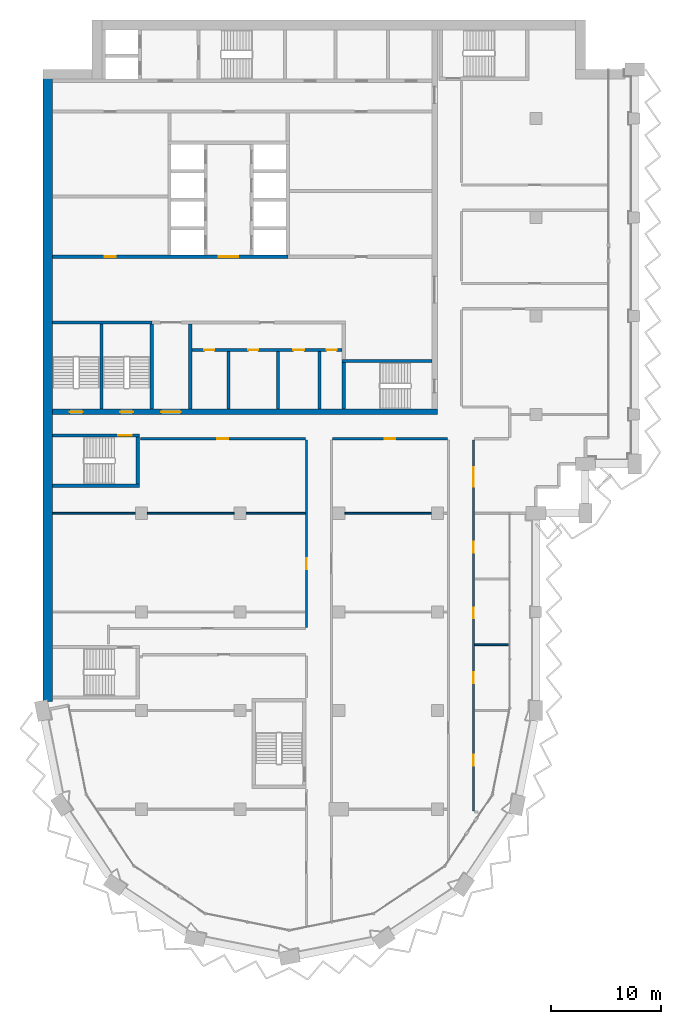
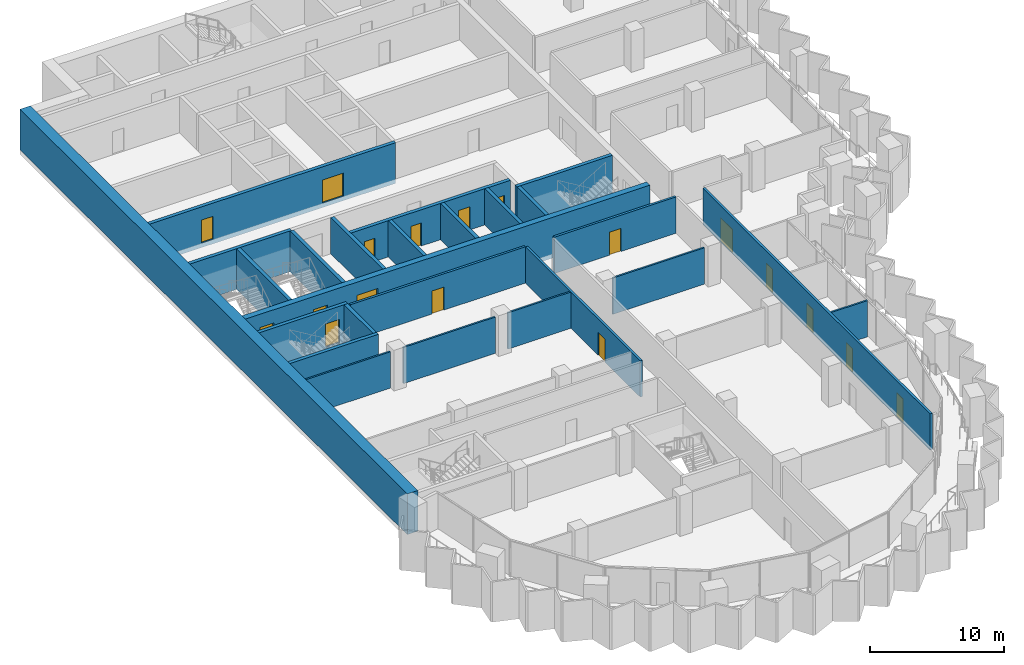
# One storey, part 8 of 17: 25 walls, 18 doors, 18 openings.
"""IFC4 building model written with IfcOpenShell, lengths in metres."""

from ifc_helpers import new_model, si_unit, direction, frame, frame_2d, origin, place, context, subcontext, project, spatial, rectangle, extrude, material, layer, layer_set, type_object, element, fill, save


model = new_model("IFC4")

# Units and contexts
model_context = context("Model", 3, precision=1e-05, world=origin(), true_north=direction((0.0, 1.0)))
body_context = subcontext(model_context, "Body", "Model", "MODEL_VIEW")
ifc_project = project(units=[si_unit("LENGTHUNIT", "METRE"), si_unit("AREAUNIT", "SQUARE_METRE"), si_unit("VOLUMEUNIT", "CUBIC_METRE"), si_unit("PLANEANGLEUNIT", "RADIAN"), si_unit("MASSUNIT", "GRAM", prefix="KILO")], contexts=[model_context])

# Site, building, storey
site_placement = place(None, origin())
site = spatial("IfcSite", under=ifc_project, at=site_placement, CompositionType="ELEMENT")
building_placement = place(site_placement, origin())
building = spatial("IfcBuilding", under=site, at=building_placement, Name="Hunhe Ridgeline Campus", CompositionType="ELEMENT")
storey_placement = place(building_placement, frame((0.0, 0.0, 193.89990234375)))
storey = spatial("IfcBuildingStorey", under=building, at=storey_placement, Name="L49", CompositionType="ELEMENT", Elevation=193.89990234375)

# Wall, openings, doors
ifc_material_1 = material(Name="Masonry concrete blockwork", Category="masonry")
ifc_layer_1 = layer(ifc_material_1, 0.300048828125)
ifc_layer_set_1 = layer_set([ifc_layer_1], Name="Core room partition 300 concrete block")
wall_type_1 = type_object("IfcWallType", Name="Core room partition 300 concrete block", PredefinedType="PARTITIONING", material=ifc_layer_set_1)
wall_1_placement = place(storey_placement, frame((13.60009765625, 68.89990234375, 0.0), z_axis=(0.0, 0.0, 1.0), x_axis=(1.0, 0.0, 0.0)))
wall_1 = element("IfcWall", 1, at=wall_1_placement, inside=storey, type_object=wall_type_1, Name="L49 core partition 9", PredefinedType="PARTITIONING", context=body_context, shape_type="SweptSolid", body=[
    extrude(rectangle(XDim=13.699951171875, YDim=0.300048828125, at=frame_2d((6.85009765625, 0.0))), origin(), (0.0, 0.0, 1.0), 3.300048828125),
])
opening_1_placement = place(wall_1_placement, frame((1.14990234375, 0.0, 0.0)))
opening_1 = element("IfcOpeningElement", 2, at=opening_1_placement, cuts=wall_1, Name="Opening CD8", PredefinedType="OPENING", context=body_context, shape_type="SweptSolid", body=[
    extrude(rectangle(XDim=0.89990234375, YDim=2.10009765625, at=frame_2d((0.449951171875, 1.050048828125))), frame((0.0, 0.14990234375, 0.0), z_axis=(0.0, -1.0, 0.0), x_axis=(1.0, 0.0, 0.0)), (0.0, 0.0, 1.0), 0.300048828125),
])
opening_2_placement = place(wall_1_placement, frame((5.14990234375, 0.0, 0.0)))
opening_2 = element("IfcOpeningElement", 3, at=opening_2_placement, cuts=wall_1, Name="Opening CD9", PredefinedType="OPENING", context=body_context, shape_type="SweptSolid", body=[
    extrude(rectangle(XDim=0.89990234375, YDim=2.10009765625, at=frame_2d((0.449951171875, 1.050048828125))), frame((0.0, 0.14990234375, 0.0), z_axis=(0.0, -1.0, 0.0), x_axis=(1.0, 0.0, 0.0)), (0.0, 0.0, 1.0), 0.300048828125),
])
opening_3_placement = place(wall_1_placement, frame((9.25, 0.0, 0.0)))
opening_3 = element("IfcOpeningElement", 4, at=opening_3_placement, cuts=wall_1, Name="Opening CD10", PredefinedType="OPENING", context=body_context, shape_type="SweptSolid", body=[
    extrude(rectangle(XDim=1.0, YDim=2.10009765625, at=frame_2d((0.5, 1.050048828125))), frame((0.0, 0.14990234375, 0.0), z_axis=(0.0, -1.0, 0.0), x_axis=(1.0, 0.0, 0.0)), (0.0, 0.0, 1.0), 0.300048828125),
])
opening_4_placement = place(wall_1_placement, frame((12.300048828125, 0.0, 0.0)))
opening_4 = element("IfcOpeningElement", 5, at=opening_4_placement, cuts=wall_1, Name="Opening CD11", PredefinedType="OPENING", context=body_context, shape_type="SweptSolid", body=[
    extrude(rectangle(XDim=0.89990234375, YDim=2.10009765625, at=frame_2d((0.449951171875, 1.050048828125))), frame((0.0, 0.14990234375, 0.0), z_axis=(0.0, -1.0, 0.0), x_axis=(1.0, 0.0, 0.0)), (0.0, 0.0, 1.0), 0.300048828125),
])
ifc_material_2 = material(Name="Solid core timber door leaf", Category="wood")
door_type_1 = type_object("IfcDoorType", Name="Timber door 1000x2100", OperationType="SINGLE_SWING_LEFT", PredefinedType="DOOR", material=ifc_material_2)
door_1_placement = place(opening_3_placement, frame((1.0, 0.0, 0.0), z_axis=(0.0, 0.0, 1.0), x_axis=(-1.0, 0.0, 0.0)))
door_1 = element("IfcDoor", 6, at=door_1_placement, inside=storey, type_object=door_type_1, Name="L49 door WC3", OperationType="SINGLE_SWING_LEFT", OverallHeight=2.10009765625, OverallWidth=1.0, PredefinedType="DOOR", context=body_context, shape_type="SweptSolid", body=[
    extrude(rectangle(XDim=1.0, YDim=2.10009765625, at=frame_2d((0.5, 1.050048828125))), frame((0.0, 0.02490234375, 0.0), z_axis=(0.0, -1.0, 0.0), x_axis=(1.0, 0.0, 0.0)), (0.0, 0.0, 1.0), 0.050048828125),
])
fill(opening_3, door_1)
door_type_2 = type_object("IfcDoorType", Name="Timber door 900x2100", OperationType="SINGLE_SWING_LEFT", PredefinedType="DOOR", material=ifc_material_2)
door_2_placement = place(opening_1_placement, frame((0.89990234375, 0.0, 0.0), z_axis=(0.0, 0.0, 1.0), x_axis=(-1.0, 0.0, 0.0)))
door_2 = element("IfcDoor", 7, at=door_2_placement, inside=storey, type_object=door_type_2, Name="L49 door WC1", OperationType="SINGLE_SWING_LEFT", OverallHeight=2.10009765625, OverallWidth=0.89990234375, PredefinedType="DOOR", context=body_context, shape_type="SweptSolid", body=[
    extrude(rectangle(XDim=0.89990234375, YDim=2.10009765625, at=frame_2d((0.449951171875, 1.050048828125))), frame((0.0, 0.02490234375, 0.0), z_axis=(0.0, -1.0, 0.0), x_axis=(1.0, 0.0, 0.0)), (0.0, 0.0, 1.0), 0.050048828125),
])
fill(opening_1, door_2)
door_3_placement = place(opening_2_placement, frame((0.89990234375, 0.0, 0.0), z_axis=(0.0, 0.0, 1.0), x_axis=(-1.0, 0.0, 0.0)))
door_3 = element("IfcDoor", 8, at=door_3_placement, inside=storey, type_object=door_type_2, Name="L49 door WC2", OperationType="SINGLE_SWING_RIGHT", OverallHeight=2.10009765625, OverallWidth=0.89990234375, PredefinedType="DOOR", context=body_context, shape_type="SweptSolid", body=[
    extrude(rectangle(XDim=0.89990234375, YDim=2.10009765625, at=frame_2d((0.449951171875, 1.050048828125))), frame((0.0, 0.02490234375, 0.0), z_axis=(0.0, -1.0, 0.0), x_axis=(1.0, 0.0, 0.0)), (0.0, 0.0, 1.0), 0.050048828125),
])
fill(opening_2, door_3)
door_4_placement = place(opening_4_placement, frame((0.89990234375, 0.0, 0.0), z_axis=(0.0, 0.0, 1.0), x_axis=(-1.0, 0.0, 0.0)))
door_4 = element("IfcDoor", 9, at=door_4_placement, inside=storey, type_object=door_type_2, Name="L49 door WC4", OperationType="SINGLE_SWING_RIGHT", OverallHeight=2.10009765625, OverallWidth=0.89990234375, PredefinedType="DOOR", context=body_context, shape_type="SweptSolid", body=[
    extrude(rectangle(XDim=0.89990234375, YDim=2.10009765625, at=frame_2d((0.449951171875, 1.050048828125))), frame((0.0, 0.02490234375, 0.0), z_axis=(0.0, -1.0, 0.0), x_axis=(1.0, 0.0, 0.0)), (0.0, 0.0, 1.0), 0.050048828125),
])
fill(opening_4, door_4)

# Walls
wall_2_placement = place(storey_placement, frame((13.449951171875, 63.5, 0.0), z_axis=(0.0, 0.0, 1.0), x_axis=(0.0, 1.0, 0.0)))
element("IfcWall", 10, at=wall_2_placement, inside=storey, type_object=wall_type_1, Name="L49 core partition 35", PredefinedType="PARTITIONING", context=body_context, shape_type="SweptSolid", body=[
    extrude(rectangle(XDim=7.75, YDim=0.300048828125, at=frame_2d((3.875, 0.0))), origin(), (0.0, 0.0, 1.0), 3.300048828125),
])
for number, where, z_axis, x_axis, name in (
    (11, (16.949951171875, 63.5, 0.0), (0.0, 0.0, 1.0), (0.0, 1.0, 0.0), "L49 core partition 38"),
    (12, (21.449951171875, 63.5, 0.0), (0.0, 0.0, 1.0), (0.0, 1.0, 0.0), "L49 core partition 41"),
    (13, (25.25, 63.5, 0.0), (0.0, 0.0, 1.0), (0.0, 1.0, 0.0), "L49 core partition 46"),
):
    element("IfcWall", number, at=place(storey_placement, frame(where, z_axis=z_axis, x_axis=x_axis)), inside=storey, type_object=wall_type_1, Name=name, PredefinedType="PARTITIONING", context=body_context, shape_type="SweptSolid", body=[
        extrude(rectangle(XDim=5.25, YDim=0.300048828125, at=frame_2d((2.625, 0.0))), origin(), (0.0, 0.0, 1.0), 3.300048828125),
    ])

# Wall, openings, doors
ifc_material_3 = material(Name="Concrete C60", Category="concrete")
ifc_layer_2 = layer(ifc_material_3, 0.5)
ifc_layer_set_2 = layer_set([ifc_layer_2], Name="Core wall 500 reinforced concrete C60")
wall_type_2 = type_object("IfcWallType", Name="Core wall 500 reinforced concrete C60", PredefinedType="SOLIDWALL", material=ifc_layer_set_2)
wall_3_placement = place(storey_placement, frame((0.89990234375, 63.25, -0.39990234375), z_axis=(0.0, 0.0, 1.0), x_axis=(1.0, 0.0, 0.0)))
wall_3 = element("IfcWall", 14, at=wall_3_placement, inside=storey, type_object=wall_type_2, Name="L49 core wall 7", PredefinedType="SOLIDWALL", context=body_context, shape_type="SweptSolid", body=[
    extrude(rectangle(XDim=35.10009765625, YDim=0.5, at=frame_2d((17.550048828125, 0.0))), origin(), (0.0, 0.0, 1.0), 3.699951171875),
])
opening_5_placement = place(wall_3_placement, frame((9.89990234375, 0.0, 0.39990234375)))
opening_5 = element("IfcOpeningElement", 15, at=opening_5_placement, cuts=wall_3, Name="Opening CD6", PredefinedType="OPENING", context=body_context, shape_type="SweptSolid", body=[
    extrude(rectangle(XDim=1.800048828125, YDim=2.10009765625, at=frame_2d((0.89990234375, 1.050048828125))), frame((0.0, 0.25, 0.0), z_axis=(0.0, -1.0, 0.0), x_axis=(1.0, 0.0, 0.0)), (0.0, 0.0, 1.0), 0.5),
])
opening_6_placement = place(wall_3_placement, frame((1.550048828125, 0.0, 0.39990234375)))
opening_6 = element("IfcOpeningElement", 16, at=opening_6_placement, cuts=wall_3, Name="Opening CD13", PredefinedType="OPENING", context=body_context, shape_type="SweptSolid", body=[
    extrude(rectangle(XDim=1.199951171875, YDim=2.10009765625, at=frame_2d((0.60009765625, 1.050048828125))), frame((0.0, 0.25, 0.0), z_axis=(0.0, -1.0, 0.0), x_axis=(1.0, 0.0, 0.0)), (0.0, 0.0, 1.0), 0.5),
])
opening_7_placement = place(wall_3_placement, frame((6.14990234375, 0.0, 0.39990234375)))
opening_7 = element("IfcOpeningElement", 17, at=opening_7_placement, cuts=wall_3, Name="Opening CD14", PredefinedType="OPENING", context=body_context, shape_type="SweptSolid", body=[
    extrude(rectangle(XDim=1.199951171875, YDim=2.10009765625, at=frame_2d((0.60009765625, 1.050048828125))), frame((0.0, 0.25, 0.0), z_axis=(0.0, -1.0, 0.0), x_axis=(1.0, 0.0, 0.0)), (0.0, 0.0, 1.0), 0.5),
])
ifc_material_4 = material(Name="Anodised aluminium and glass", Category="aluminium")
door_type_3 = type_object("IfcDoorType", Name="Glazed double door 1800x2100", OperationType="DOUBLE_DOOR_SINGLE_SWING", PredefinedType="DOOR", material=ifc_material_4)
door_5_placement = place(opening_5_placement, frame((1.800048828125, 0.0, 0.0), z_axis=(0.0, 0.0, 1.0), x_axis=(-1.0, 0.0, 0.0)))
door_5 = element("IfcDoor", 18, at=door_5_placement, inside=storey, type_object=door_type_3, Name="L49 door VEST-FLOOR", OperationType="DOUBLE_DOOR_SINGLE_SWING", OverallHeight=2.10009765625, OverallWidth=1.800048828125, PredefinedType="DOOR", context=body_context, shape_type="SweptSolid", body=[
    extrude(rectangle(XDim=1.800048828125, YDim=2.10009765625, at=frame_2d((0.89990234375, 1.050048828125))), frame((0.0, 0.02490234375, 0.0), z_axis=(0.0, -1.0, 0.0), x_axis=(1.0, 0.0, 0.0)), (0.0, 0.0, 1.0), 0.050048828125),
])
fill(opening_5, door_5)
ifc_material_5 = material(Name="Hollow metal fire door leaf")
door_type_4 = type_object("IfcDoorType", Name="Stair door 1200x2100 FD60", OperationType="SINGLE_SWING_LEFT", PredefinedType="DOOR", material=ifc_material_5)
door_6_placement = place(opening_6_placement, frame((1.199951171875, 0.0, 0.0), z_axis=(0.0, 0.0, 1.0), x_axis=(-1.0, 0.0, 0.0)))
door_6 = element("IfcDoor", 19, at=door_6_placement, inside=storey, type_object=door_type_4, Name="L49 door S3", OperationType="SINGLE_SWING_LEFT", OverallHeight=2.10009765625, OverallWidth=1.199951171875, PredefinedType="DOOR", context=body_context, shape_type="SweptSolid", body=[
    extrude(rectangle(XDim=1.199951171875, YDim=2.10009765625, at=frame_2d((0.60009765625, 1.050048828125))), frame((0.0, 0.02490234375, 0.0), z_axis=(0.0, -1.0, 0.0), x_axis=(1.0, 0.0, 0.0)), (0.0, 0.0, 1.0), 0.050048828125),
])
fill(opening_6, door_6)
door_7_placement = place(opening_7_placement, frame((1.199951171875, 0.0, 0.0), z_axis=(0.0, 0.0, 1.0), x_axis=(-1.0, 0.0, 0.0)))
door_7 = element("IfcDoor", 20, at=door_7_placement, inside=storey, type_object=door_type_4, Name="L49 door S4", OperationType="SINGLE_SWING_RIGHT", OverallHeight=2.10009765625, OverallWidth=1.199951171875, PredefinedType="DOOR", context=body_context, shape_type="SweptSolid", body=[
    extrude(rectangle(XDim=1.199951171875, YDim=2.10009765625, at=frame_2d((0.60009765625, 1.050048828125))), frame((0.0, 0.02490234375, 0.0), z_axis=(0.0, -1.0, 0.0), x_axis=(1.0, 0.0, 0.0)), (0.0, 0.0, 1.0), 0.050048828125),
])
fill(opening_7, door_7)

# Wall, opening, door
ifc_material_6 = material(Name="Gypsum board partition")
ifc_layer_3 = layer(ifc_material_6, 0.199951171875)
ifc_layer_set_3 = layer_set([ifc_layer_3], Name="Corridor partition 200 gypsum board on steel studs")
wall_type_3 = type_object("IfcWallType", Name="Corridor partition 200 gypsum board on steel studs", PredefinedType="PARTITIONING", material=ifc_layer_set_3)
wall_4_placement = place(storey_placement, frame((23.949951171875, 60.800048828125, 0.0), z_axis=(0.0, 0.0, 1.0), x_axis=(-1.0, 0.0, 0.0)))
wall_4 = element("IfcWall", 21, at=wall_4_placement, inside=storey, type_object=wall_type_3, Name="F-L49-wall-026", PredefinedType="PARTITIONING", context=body_context, shape_type="SweptSolid", body=[
    extrude(rectangle(XDim=15.0458984375, YDim=0.199951171875, at=frame_2d((7.52294921875, 0.0))), origin(), (0.0, 0.0, 1.0), 3.300048828125),
])
opening_8_placement = place(wall_4_placement, frame((7.02294921875, 0.0, 0.0)))
opening_8 = element("IfcOpeningElement", 22, at=opening_8_placement, cuts=wall_4, Name="Opening RD1-014", PredefinedType="OPENING", context=body_context, shape_type="SweptSolid", body=[
    extrude(rectangle(XDim=1.0, YDim=2.10009765625, at=frame_2d((0.5, 1.050048828125))), frame((0.0, 0.10009765625, 0.0), z_axis=(0.0, -1.0, 0.0), x_axis=(1.0, 0.0, 0.0)), (0.0, 0.0, 1.0), 0.199951171875),
])
ifc_material_7 = material(Name="Timber door leaf", Category="wood")
door_type_5 = type_object("IfcDoorType", Name="Single fire door 1000x2100 timber FD60", OperationType="NOTDEFINED", PredefinedType="DOOR", material=ifc_material_7)
door_8_placement = place(opening_8_placement, origin())
door_8 = element("IfcDoor", 23, at=door_8_placement, inside=storey, type_object=door_type_5, Name="F-L49-door-014", OperationType="SINGLE_SWING_LEFT", OverallHeight=2.10009765625, OverallWidth=1.0, PredefinedType="DOOR", context=body_context, shape_type="SweptSolid", body=[
    extrude(rectangle(XDim=1.0, YDim=2.10009765625, at=frame_2d((0.5, 1.050048828125))), frame((0.0, 0.02490234375, 0.0), z_axis=(0.0, -1.0, 0.0), x_axis=(1.0, 0.0, 0.0)), (0.0, 0.0, 1.0), 0.050048828125),
])
fill(opening_8, door_8)

wall_5_placement = place(storey_placement, frame((36.89990234375, 60.800048828125, 0.0), z_axis=(0.0, 0.0, 1.0), x_axis=(-1.0, 0.0, 0.0)))
wall_5 = element("IfcWall", 24, at=wall_5_placement, inside=storey, type_object=wall_type_3, Name="F-L49-wall-027", PredefinedType="PARTITIONING", context=body_context, shape_type="SweptSolid", body=[
    extrude(rectangle(XDim=10.449951171875, YDim=0.199951171875, at=frame_2d((5.22509765625, 0.0))), origin(), (0.0, 0.0, 1.0), 3.300048828125),
])
opening_9_placement = place(wall_5_placement, frame((4.72509765625, 0.0, 0.0)))
opening_9 = element("IfcOpeningElement", 25, at=opening_9_placement, cuts=wall_5, Name="Opening RD1-015", PredefinedType="OPENING", context=body_context, shape_type="SweptSolid", body=[
    extrude(rectangle(XDim=1.0, YDim=2.10009765625, at=frame_2d((0.5, 1.050048828125))), frame((0.0, 0.10009765625, 0.0), z_axis=(0.0, -1.0, 0.0), x_axis=(1.0, 0.0, 0.0)), (0.0, 0.0, 1.0), 0.199951171875),
])
door_9_placement = place(opening_9_placement, origin())
door_9 = element("IfcDoor", 26, at=door_9_placement, inside=storey, type_object=door_type_5, Name="F-L49-door-015", OperationType="SINGLE_SWING_LEFT", OverallHeight=2.10009765625, OverallWidth=1.0, PredefinedType="DOOR", context=body_context, shape_type="SweptSolid", body=[
    extrude(rectangle(XDim=1.0, YDim=2.10009765625, at=frame_2d((0.5, 1.050048828125))), frame((0.0, 0.02490234375, 0.0), z_axis=(0.0, -1.0, 0.0), x_axis=(1.0, 0.0, 0.0)), (0.0, 0.0, 1.0), 0.050048828125),
])
fill(opening_9, door_9)

wall_6_placement = place(storey_placement, frame((24.050048828125, 43.60009765625, 0.0), z_axis=(0.0, 0.0, 1.0), x_axis=(0.0, 1.0, 0.0)))
wall_6 = element("IfcWall", 27, at=wall_6_placement, inside=storey, type_object=wall_type_3, Name="F-L49-wall-040", PredefinedType="PARTITIONING", context=body_context, shape_type="SweptSolid", body=[
    extrude(rectangle(XDim=17.099853515625, YDim=0.199951171875, at=frame_2d((8.5498046875, 0.0))), origin(), (0.0, 0.0, 1.0), 3.300048828125),
])
opening_10_placement = place(wall_6_placement, frame((5.28369140625, 0.0, 0.0)))
opening_10 = element("IfcOpeningElement", 28, at=opening_10_placement, cuts=wall_6, Name="Opening RD1-010", PredefinedType="OPENING", context=body_context, shape_type="SweptSolid", body=[
    extrude(rectangle(XDim=1.0, YDim=2.10009765625, at=frame_2d((0.5, 1.050048828125))), frame((0.0, 0.10009765625, 0.0), z_axis=(0.0, -1.0, 0.0), x_axis=(1.0, 0.0, 0.0)), (0.0, 0.0, 1.0), 0.199951171875),
])
door_10_placement = place(opening_10_placement, origin())
door_10 = element("IfcDoor", 29, at=door_10_placement, inside=storey, type_object=door_type_5, Name="F-L49-door-010", OperationType="SINGLE_SWING_RIGHT", OverallHeight=2.10009765625, OverallWidth=1.0, PredefinedType="DOOR", context=body_context, shape_type="SweptSolid", body=[
    extrude(rectangle(XDim=1.0, YDim=2.10009765625, at=frame_2d((0.5, 1.050048828125))), frame((0.0, 0.02490234375, 0.0), z_axis=(0.0, -1.0, 0.0), x_axis=(1.0, 0.0, 0.0)), (0.0, 0.0, 1.0), 0.050048828125),
])
fill(opening_10, door_10)

# Wall, openings, doors
wall_7_placement = place(storey_placement, frame((39.300048828125, 60.699951171875, 0.0), z_axis=(0.0, 0.0, 1.0), x_axis=(0.0, -1.0, 0.0)))
wall_7 = element("IfcWall", 30, at=wall_7_placement, inside=storey, type_object=wall_type_3, Name="F-L49-wall-047", PredefinedType="PARTITIONING", context=body_context, shape_type="SweptSolid", body=[
    extrude(rectangle(XDim=33.85205078125, YDim=0.199951171875, at=frame_2d((16.926025390625, 0.0))), origin(), (0.0, 0.0, 1.0), 3.300048828125),
])
opening_11_placement = place(wall_7_placement, frame((28.712890625, 0.0, 0.0)))
opening_11 = element("IfcOpeningElement", 31, at=opening_11_placement, cuts=wall_7, Name="Opening RD1-004", PredefinedType="OPENING", context=body_context, shape_type="SweptSolid", body=[
    extrude(rectangle(XDim=1.0, YDim=2.10009765625, at=frame_2d((0.5, 1.050048828125))), frame((0.0, 0.10009765625, 0.0), z_axis=(0.0, -1.0, 0.0), x_axis=(1.0, 0.0, 0.0)), (0.0, 0.0, 1.0), 0.199951171875),
])
opening_12_placement = place(wall_7_placement, frame((21.1904296875, 0.0, 0.0)))
opening_12 = element("IfcOpeningElement", 32, at=opening_12_placement, cuts=wall_7, Name="Opening RD1-006", PredefinedType="OPENING", context=body_context, shape_type="SweptSolid", body=[
    extrude(rectangle(XDim=1.0, YDim=2.10009765625, at=frame_2d((0.5, 1.050048828125))), frame((0.0, 0.10009765625, 0.0), z_axis=(0.0, -1.0, 0.0), x_axis=(1.0, 0.0, 0.0)), (0.0, 0.0, 1.0), 0.199951171875),
])
opening_13_placement = place(wall_7_placement, frame((15.297607421875, 0.0, 0.0)))
opening_13 = element("IfcOpeningElement", 33, at=opening_13_placement, cuts=wall_7, Name="Opening RD1-009", PredefinedType="OPENING", context=body_context, shape_type="SweptSolid", body=[
    extrude(rectangle(XDim=1.0, YDim=2.10009765625, at=frame_2d((0.5, 1.050048828125))), frame((0.0, 0.10009765625, 0.0), z_axis=(0.0, -1.0, 0.0), x_axis=(1.0, 0.0, 0.0)), (0.0, 0.0, 1.0), 0.199951171875),
])
opening_14_placement = place(wall_7_placement, frame((9.279541015625, 0.0, 0.0)))
opening_14 = element("IfcOpeningElement", 34, at=opening_14_placement, cuts=wall_7, Name="Opening RD1-012", PredefinedType="OPENING", context=body_context, shape_type="SweptSolid", body=[
    extrude(rectangle(XDim=1.0, YDim=2.10009765625, at=frame_2d((0.5, 1.050048828125))), frame((0.0, 0.10009765625, 0.0), z_axis=(0.0, -1.0, 0.0), x_axis=(1.0, 0.0, 0.0)), (0.0, 0.0, 1.0), 0.199951171875),
])
opening_15_placement = place(wall_7_placement, frame((2.485107421875, 0.0, 0.0)))
opening_15 = element("IfcOpeningElement", 35, at=opening_15_placement, cuts=wall_7, Name="Opening RD2-013", PredefinedType="OPENING", context=body_context, shape_type="SweptSolid", body=[
    extrude(rectangle(XDim=1.800048828125, YDim=2.10009765625, at=frame_2d((0.89990234375, 1.050048828125))), frame((0.0, 0.10009765625, 0.0), z_axis=(0.0, -1.0, 0.0), x_axis=(1.0, 0.0, 0.0)), (0.0, 0.0, 1.0), 0.199951171875),
])
door_type_6 = type_object("IfcDoorType", Name="Double fire door 1800x2100 timber FD60", OperationType="DOUBLE_DOOR_SINGLE_SWING", PredefinedType="DOOR", material=ifc_material_7)
door_11_placement = place(opening_15_placement, origin())
door_11 = element("IfcDoor", 36, at=door_11_placement, inside=storey, type_object=door_type_6, Name="F-L49-door-013", OperationType="DOUBLE_DOOR_SINGLE_SWING", OverallHeight=2.10009765625, OverallWidth=1.800048828125, PredefinedType="DOOR", context=body_context, shape_type="SweptSolid", body=[
    extrude(rectangle(XDim=1.800048828125, YDim=2.10009765625, at=frame_2d((0.89990234375, 1.050048828125))), frame((0.0, 0.02490234375, 0.0), z_axis=(0.0, -1.0, 0.0), x_axis=(1.0, 0.0, 0.0)), (0.0, 0.0, 1.0), 0.050048828125),
])
fill(opening_15, door_11)
door_12_placement = place(opening_11_placement, origin())
door_12 = element("IfcDoor", 37, at=door_12_placement, inside=storey, type_object=door_type_5, Name="F-L49-door-004", OperationType="SINGLE_SWING_LEFT", OverallHeight=2.10009765625, OverallWidth=1.0, PredefinedType="DOOR", context=body_context, shape_type="SweptSolid", body=[
    extrude(rectangle(XDim=1.0, YDim=2.10009765625, at=frame_2d((0.5, 1.050048828125))), frame((0.0, 0.02490234375, 0.0), z_axis=(0.0, -1.0, 0.0), x_axis=(1.0, 0.0, 0.0)), (0.0, 0.0, 1.0), 0.050048828125),
])
fill(opening_11, door_12)
door_13_placement = place(opening_12_placement, origin())
door_13 = element("IfcDoor", 38, at=door_13_placement, inside=storey, type_object=door_type_5, Name="F-L49-door-006", OperationType="SINGLE_SWING_LEFT", OverallHeight=2.10009765625, OverallWidth=1.0, PredefinedType="DOOR", context=body_context, shape_type="SweptSolid", body=[
    extrude(rectangle(XDim=1.0, YDim=2.10009765625, at=frame_2d((0.5, 1.050048828125))), frame((0.0, 0.02490234375, 0.0), z_axis=(0.0, -1.0, 0.0), x_axis=(1.0, 0.0, 0.0)), (0.0, 0.0, 1.0), 0.050048828125),
])
fill(opening_12, door_13)
door_14_placement = place(opening_13_placement, origin())
door_14 = element("IfcDoor", 39, at=door_14_placement, inside=storey, type_object=door_type_5, Name="F-L49-door-009", OperationType="SINGLE_SWING_LEFT", OverallHeight=2.10009765625, OverallWidth=1.0, PredefinedType="DOOR", context=body_context, shape_type="SweptSolid", body=[
    extrude(rectangle(XDim=1.0, YDim=2.10009765625, at=frame_2d((0.5, 1.050048828125))), frame((0.0, 0.02490234375, 0.0), z_axis=(0.0, -1.0, 0.0), x_axis=(1.0, 0.0, 0.0)), (0.0, 0.0, 1.0), 0.050048828125),
])
fill(opening_13, door_14)
door_15_placement = place(opening_14_placement, origin())
door_15 = element("IfcDoor", 40, at=door_15_placement, inside=storey, type_object=door_type_5, Name="F-L49-door-012", OperationType="SINGLE_SWING_RIGHT", OverallHeight=2.10009765625, OverallWidth=1.0, PredefinedType="DOOR", context=body_context, shape_type="SweptSolid", body=[
    extrude(rectangle(XDim=1.0, YDim=2.10009765625, at=frame_2d((0.5, 1.050048828125))), frame((0.0, 0.02490234375, 0.0), z_axis=(0.0, -1.0, 0.0), x_axis=(1.0, 0.0, 0.0)), (0.0, 0.0, 1.0), 0.050048828125),
])
fill(opening_14, door_15)

# Walls
ifc_layer_4 = layer(ifc_material_6, 0.14990234375)
ifc_layer_set_4 = layer_set([ifc_layer_4], Name="Room partition 150 gypsum board on steel studs")
wall_type_4 = type_object("IfcWallType", Name="Room partition 150 gypsum board on steel studs", PredefinedType="PARTITIONING", material=ifc_layer_set_4)
wall_8_placement = place(storey_placement, frame((39.39990234375, 42.0, 0.0), z_axis=(0.0, 0.0, 1.0), x_axis=(1.0, 0.0, 0.0)))
element("IfcWall", 41, at=wall_8_placement, inside=storey, type_object=wall_type_4, Name="F-L49-wall-012", PredefinedType="PARTITIONING", context=body_context, shape_type="SweptSolid", body=[
    extrude(rectangle(XDim=3.14501953125, YDim=0.14990234375, at=frame_2d((1.572509765625, 0.0))), origin(), (0.0, 0.0, 1.0), 3.300048828125),
])
wall_9_placement = place(storey_placement, frame((0.919921875, 54.0, 0.0), z_axis=(0.0, 0.0, 1.0), x_axis=(1.0, 0.0, 0.0)))
element("IfcWall", 42, at=wall_9_placement, inside=storey, type_object=wall_type_4, Name="F-L49-wall-020", PredefinedType="PARTITIONING", context=body_context, shape_type="SweptSolid", body=[
    extrude(rectangle(XDim=7.530029296875, YDim=0.14990234375, at=frame_2d((3.76513671875, 0.0))), origin(), (0.0, 0.0, 1.0), 3.300048828125),
])
wall_10_placement = place(storey_placement, frame((9.550048828125, 54.0, 0.0), z_axis=(0.0, 0.0, 1.0), x_axis=(1.0, 0.0, 0.0)))
element("IfcWall", 43, at=wall_10_placement, inside=storey, type_object=wall_type_4, Name="F-L49-wall-021", PredefinedType="PARTITIONING", context=body_context, shape_type="SweptSolid", body=[
    extrude(rectangle(XDim=7.89990234375, YDim=0.14990234375, at=frame_2d((3.949951171875, 0.0))), origin(), (0.0, 0.0, 1.0), 3.300048828125),
])
wall_11_placement = place(storey_placement, frame((18.550048828125, 54.0, 0.0), z_axis=(0.0, 0.0, 1.0), x_axis=(1.0, 0.0, 0.0)))
element("IfcWall", 44, at=wall_11_placement, inside=storey, type_object=wall_type_4, Name="F-L49-wall-022", PredefinedType="PARTITIONING", context=body_context, shape_type="SweptSolid", body=[
    extrude(rectangle(XDim=5.39990234375, YDim=0.14990234375, at=frame_2d((2.699951171875, 0.0))), origin(), (0.0, 0.0, 1.0), 3.300048828125),
])
wall_12_placement = place(storey_placement, frame((27.550048828125, 54.0, 0.0), z_axis=(0.0, 0.0, 1.0), x_axis=(1.0, 0.0, 0.0)))
element("IfcWall", 45, at=wall_12_placement, inside=storey, type_object=wall_type_4, Name="F-L49-wall-023", PredefinedType="PARTITIONING", context=body_context, shape_type="SweptSolid", body=[
    extrude(rectangle(XDim=7.89990234375, YDim=0.14990234375, at=frame_2d((3.949951171875, 0.0))), origin(), (0.0, 0.0, 1.0), 3.300048828125),
])

# Wall, openings, doors
ifc_layer_5 = layer(ifc_material_3, 0.300048828125)
ifc_layer_set_5 = layer_set([ifc_layer_5], Name="Shaft wall 300 reinforced concrete C60")
wall_type_5 = type_object("IfcWallType", Name="Shaft wall 300 reinforced concrete C60", PredefinedType="SOLIDWALL", material=ifc_layer_set_5)
wall_13_placement = place(storey_placement, frame((0.89990234375, 77.39990234375, -0.39990234375), z_axis=(0.0, 0.0, 1.0), x_axis=(1.0, 0.0, 0.0)))
wall_13 = element("IfcWall", 46, at=wall_13_placement, inside=storey, type_object=wall_type_5, Name="L49 core wall 12", PredefinedType="SOLIDWALL", context=body_context, shape_type="SweptSolid", body=[
    extrude(rectangle(XDim=21.4501953125, YDim=0.300048828125, at=frame_2d((10.72509765625, 0.0))), origin(), (0.0, 0.0, 1.0), 3.699951171875),
])
opening_16_placement = place(wall_13_placement, frame((15.14990234375, 0.0, 0.39990234375)))
opening_16 = element("IfcOpeningElement", 47, at=opening_16_placement, cuts=wall_13, Name="Opening CD38", PredefinedType="OPENING", context=body_context, shape_type="SweptSolid", body=[
    extrude(rectangle(XDim=1.800048828125, YDim=2.10009765625, at=frame_2d((0.89990234375, 1.050048828125))), frame((0.0, 0.14990234375, 0.0), z_axis=(0.0, -1.0, 0.0), x_axis=(1.0, 0.0, 0.0)), (0.0, 0.0, 1.0), 0.300048828125),
])
opening_17_placement = place(wall_13_placement, frame((4.75, 0.0, 0.39990234375)))
opening_17 = element("IfcOpeningElement", 48, at=opening_17_placement, cuts=wall_13, Name="Opening CD39", PredefinedType="OPENING", context=body_context, shape_type="SweptSolid", body=[
    extrude(rectangle(XDim=1.0, YDim=2.10009765625, at=frame_2d((0.5, 1.050048828125))), frame((0.0, 0.14990234375, 0.0), z_axis=(0.0, -1.0, 0.0), x_axis=(1.0, 0.0, 0.0)), (0.0, 0.0, 1.0), 0.300048828125),
])
door_type_7 = type_object("IfcDoorType", Name="Lobby door 1800x2100 FD60", OperationType="SINGLE_SWING_LEFT", PredefinedType="DOOR", material=ifc_material_5)
door_16_placement = place(opening_16_placement, frame((1.800048828125, 0.0, 0.0), z_axis=(0.0, 0.0, 1.0), x_axis=(-1.0, 0.0, 0.0)))
door_16 = element("IfcDoor", 49, at=door_16_placement, inside=storey, type_object=door_type_7, Name="L49 door LOB-HR", OperationType="SINGLE_SWING_RIGHT", OverallHeight=2.10009765625, OverallWidth=1.800048828125, PredefinedType="DOOR", context=body_context, shape_type="SweptSolid", body=[
    extrude(rectangle(XDim=1.800048828125, YDim=2.10009765625, at=frame_2d((0.89990234375, 1.050048828125))), frame((0.0, 0.02490234375, 0.0), z_axis=(0.0, -1.0, 0.0), x_axis=(1.0, 0.0, 0.0)), (0.0, 0.0, 1.0), 0.050048828125),
])
fill(opening_16, door_16)
door_17_placement = place(opening_17_placement, origin())
door_17 = element("IfcDoor", 50, at=door_17_placement, inside=storey, type_object=door_type_1, Name="L49 door VD-LR0", OperationType="SINGLE_SWING_LEFT", OverallHeight=2.10009765625, OverallWidth=1.0, PredefinedType="DOOR", context=body_context, shape_type="SweptSolid", body=[
    extrude(rectangle(XDim=1.0, YDim=2.10009765625, at=frame_2d((0.5, 1.050048828125))), frame((0.0, 0.02490234375, 0.0), z_axis=(0.0, -1.0, 0.0), x_axis=(1.0, 0.0, 0.0)), (0.0, 0.0, 1.0), 0.050048828125),
])
fill(opening_17, door_17)

# Walls
ifc_layer_6 = layer(ifc_material_3, 0.89990234375)
ifc_layer_set_6 = layer_set([ifc_layer_6], Name="Spine wall 900 Concrete C60")
wall_type_6 = type_object("IfcWallType", Name="Spine wall 900 Concrete C60", PredefinedType="SHEAR", material=ifc_layer_set_6)
wall_14_placement = place(storey_placement, frame((0.449951171875, 94.5, 0.0), z_axis=(0.0, 0.0, 1.0), x_axis=(0.0, -1.0, 0.0)))
element("IfcWall", 51, at=wall_14_placement, inside=storey, type_object=wall_type_6, Name="Spine wall SW3-1 L49", PredefinedType="SHEAR", context=body_context, shape_type="SweptSolid", body=[
    extrude(rectangle(XDim=57.686767578125, YDim=0.89990234375, at=frame_2d((28.84326171875, 0.0))), origin(), (0.0, 0.0, 1.0), 3.7001953125),
])
ifc_layer_7 = layer(ifc_material_3, 0.300048828125)
ifc_layer_set_7 = layer_set([ifc_layer_7], Name="Stair wall 300 reinforced concrete C60")
wall_type_7 = type_object("IfcWallType", Name="Stair wall 300 reinforced concrete C60", PredefinedType="SOLIDWALL", material=ifc_layer_set_7)
wall_15_placement = place(storey_placement, frame((0.89990234375, 56.5, -0.39990234375), z_axis=(0.0, 0.0, 1.0), x_axis=(1.0, 0.0, 0.0)))
element("IfcWall", 52, at=wall_15_placement, inside=storey, type_object=wall_type_7, Name="L49 core wall 5", PredefinedType="SOLIDWALL", context=body_context, shape_type="SweptSolid", body=[
    extrude(rectangle(XDim=7.900146484375, YDim=0.300048828125, at=frame_2d((3.9501953125, 0.0))), origin(), (0.0, 0.0, 1.0), 3.699951171875),
])

# Wall, opening, door
wall_16_placement = place(storey_placement, frame((0.89990234375, 61.10009765625, -0.39990234375), z_axis=(0.0, 0.0, 1.0), x_axis=(1.0, 0.0, 0.0)))
wall_16 = element("IfcWall", 53, at=wall_16_placement, inside=storey, type_object=wall_type_7, Name="L49 core wall 6", PredefinedType="SOLIDWALL", context=body_context, shape_type="SweptSolid", body=[
    extrude(rectangle(XDim=7.900146484375, YDim=0.300048828125, at=frame_2d((3.9501953125, 0.0))), origin(), (0.0, 0.0, 1.0), 3.699951171875),
])
opening_18_placement = place(wall_16_placement, frame((6.0, 0.0, 0.39990234375)))
opening_18 = element("IfcOpeningElement", 54, at=opening_18_placement, cuts=wall_16, Name="Opening CD22", PredefinedType="OPENING", context=body_context, shape_type="SweptSolid", body=[
    extrude(rectangle(XDim=1.199951171875, YDim=2.10009765625, at=frame_2d((0.60009765625, 1.050048828125))), frame((0.0, 0.14990234375, 0.0), z_axis=(0.0, -1.0, 0.0), x_axis=(1.0, 0.0, 0.0)), (0.0, 0.0, 1.0), 0.300048828125),
])
door_18_placement = place(opening_18_placement, origin())
door_18 = element("IfcDoor", 55, at=door_18_placement, inside=storey, type_object=door_type_4, Name="L49 door W2", OperationType="SINGLE_SWING_RIGHT", OverallHeight=2.10009765625, OverallWidth=1.199951171875, PredefinedType="DOOR", context=body_context, shape_type="SweptSolid", body=[
    extrude(rectangle(XDim=1.199951171875, YDim=2.10009765625, at=frame_2d((0.60009765625, 1.050048828125))), frame((0.0, 0.02490234375, 0.0), z_axis=(0.0, -1.0, 0.0), x_axis=(1.0, 0.0, 0.0)), (0.0, 0.0, 1.0), 0.050048828125),
])
fill(opening_18, door_18)

# Walls
wall_17_placement = place(storey_placement, frame((27.300048828125, 67.89990234375, -0.39990234375), z_axis=(0.0, 0.0, 1.0), x_axis=(1.0, 0.0, 0.0)))
element("IfcWall", 56, at=wall_17_placement, inside=storey, type_object=wall_type_7, Name="L49 core wall 8", PredefinedType="SOLIDWALL", context=body_context, shape_type="SweptSolid", body=[
    extrude(rectangle(XDim=8.199951171875, YDim=0.300048828125, at=frame_2d((4.10009765625, 0.0))), origin(), (0.0, 0.0, 1.0), 3.699951171875),
])
wall_18_placement = place(storey_placement, frame((0.89990234375, 71.39990234375, -0.39990234375), z_axis=(0.0, 0.0, 1.0), x_axis=(1.0, 0.0, 0.0)))
element("IfcWall", 57, at=wall_18_placement, inside=storey, type_object=wall_type_7, Name="L49 core wall 10", PredefinedType="SOLIDWALL", context=body_context, shape_type="SweptSolid", body=[
    extrude(rectangle(XDim=9.050048828125, YDim=0.300048828125, at=frame_2d((4.52490234375, 0.0))), origin(), (0.0, 0.0, 1.0), 3.699951171875),
])
wall_19_placement = place(storey_placement, frame((5.35009765625, 63.5, -0.39990234375), z_axis=(0.0, 0.0, 1.0), x_axis=(0.0, 1.0, 0.0)))
element("IfcWall", 58, at=wall_19_placement, inside=storey, type_object=wall_type_7, Name="L49 core wall 27", PredefinedType="SOLIDWALL", context=body_context, shape_type="SweptSolid", body=[
    extrude(rectangle(XDim=7.75, YDim=0.300048828125, at=frame_2d((3.875, 0.0))), origin(), (0.0, 0.0, 1.0), 3.699951171875),
])
wall_20_placement = place(storey_placement, frame((8.64990234375, 56.64990234375, -0.39990234375), z_axis=(0.0, 0.0, 1.0), x_axis=(0.0, 1.0, 0.0)))
element("IfcWall", 59, at=wall_20_placement, inside=storey, type_object=wall_type_7, Name="L49 core wall 30", PredefinedType="SOLIDWALL", context=body_context, shape_type="SweptSolid", body=[
    extrude(rectangle(XDim=4.300048828125, YDim=0.300048828125, at=frame_2d((2.14990234375, 0.0))), origin(), (0.0, 0.0, 1.0), 3.699951171875),
])
wall_21_placement = place(storey_placement, frame((9.949951171875, 63.5, -0.39990234375), z_axis=(0.0, 0.0, 1.0), x_axis=(0.0, 1.0, 0.0)))
element("IfcWall", 60, at=wall_21_placement, inside=storey, type_object=wall_type_7, Name="L49 core wall 32", PredefinedType="SOLIDWALL", context=body_context, shape_type="SweptSolid", body=[
    extrude(rectangle(XDim=7.75, YDim=0.300048828125, at=frame_2d((3.875, 0.0))), origin(), (0.0, 0.0, 1.0), 3.699951171875),
])
wall_22_placement = place(storey_placement, frame((27.449951171875, 63.5, -0.39990234375), z_axis=(0.0, 0.0, 1.0), x_axis=(0.0, 1.0, 0.0)))
element("IfcWall", 61, at=wall_22_placement, inside=storey, type_object=wall_type_7, Name="L49 core wall 48", PredefinedType="SOLIDWALL", context=body_context, shape_type="SweptSolid", body=[
    extrude(rectangle(XDim=4.25, YDim=0.300048828125, at=frame_2d((2.125, 0.0))), origin(), (0.0, 0.0, 1.0), 3.699951171875),
])

save(model, "model.ifc")
